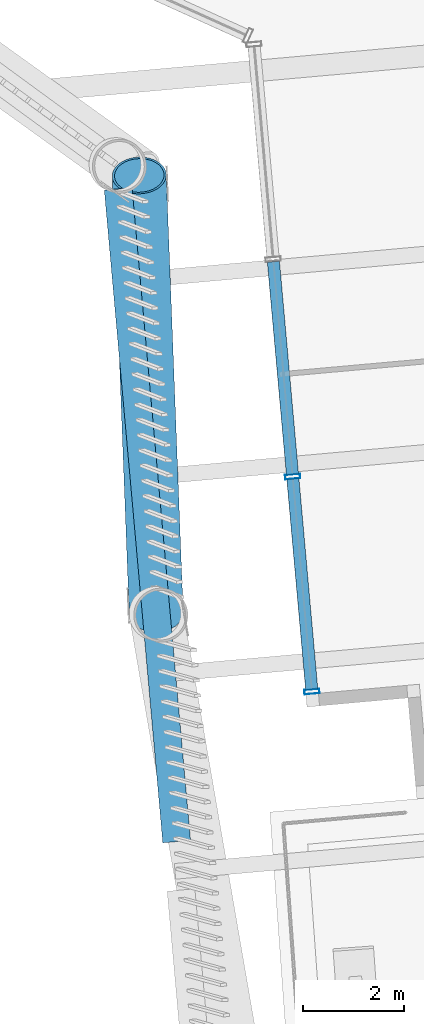
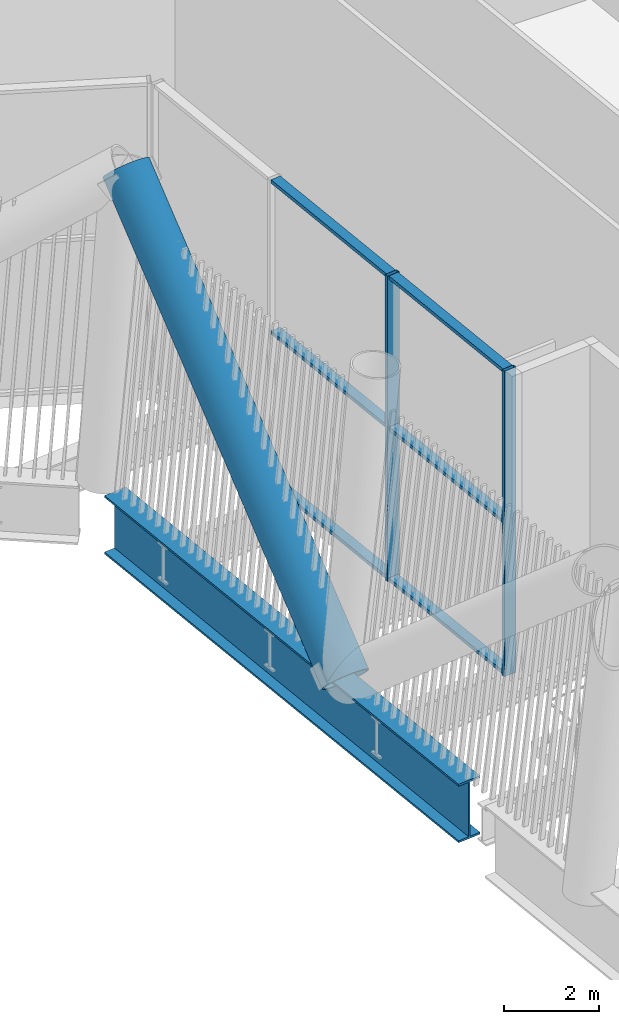
# One storey, part 4 of 55: 9 members, 1 beam, 1 element without a shape of its own.
"""IFC4 building model written with IfcOpenShell, lengths in metres."""

from ifc_helpers import new_model, si_unit, direction, frame, origin, origin_2d, place, context, subcontext, project, spatial, hollow_rectangle, hollow_circle, i_section, extrude, material, layer, layer_set, material_profile, profile_set, type_object, element, aggregate, save


model = new_model("IFC4")

# Units and contexts
model_context = context("Model", 3, precision=1e-05, world=origin(), true_north=direction((0.0, 1.0)))
body_context = subcontext(model_context, "Body", "Model", "MODEL_VIEW")
ifc_project = project(units=[si_unit("LENGTHUNIT", "METRE"), si_unit("AREAUNIT", "SQUARE_METRE"), si_unit("VOLUMEUNIT", "CUBIC_METRE"), si_unit("PLANEANGLEUNIT", "RADIAN"), si_unit("MASSUNIT", "GRAM", prefix="KILO")], contexts=[model_context])

# Site, building, storey
site_placement = place(None, origin())
site = spatial("IfcSite", under=ifc_project, at=site_placement, CompositionType="ELEMENT")
building_placement = place(site_placement, origin())
building = spatial("IfcBuilding", under=site, at=building_placement, Name="Tarsis Ring Headquarters", CompositionType="ELEMENT")
storey_placement = place(building_placement, frame((0.0, 0.0, 247.199951171875)))
storey = spatial("IfcBuildingStorey", under=building, at=storey_placement, Name="L58", CompositionType="ELEMENT", Elevation=247.199951171875)

# Curtain wall, members
ifc_material_1 = material(Name="Aluminium curtain wall", Category="aluminium")
ifc_layer = layer(ifc_material_1, 0.300048828125)
ifc_layer_set = layer_set([ifc_layer], Name="Curtain wall upper sky lobby")
curtain_wall_type = type_object("IfcCurtainWallType", Name="Curtain wall upper sky lobby", PredefinedType="NOTDEFINED", material=ifc_layer_set)
curtain_wall_placement = place(storey_placement, origin())
curtain_wall = element("IfcCurtainWall", 1, at=curtain_wall_placement, inside=storey, type_object=curtain_wall_type, Name="Curtain wall L58-06", PredefinedType="NOTDEFINED")
ifc_material_2 = material(Name="Aluminium mullion", Category="aluminium")
ifc_material_profile_1 = material_profile(ifc_material_2, hollow_rectangle(XDim=0.300048828125, YDim=0.090087890625, WallThickness=0.0048828125, at=origin_2d()), Name="RHS 300x90x5")
ifc_profile_set_1 = profile_set([ifc_material_profile_1], Name="Aluminium mullion")
member_type_1 = type_object("IfcMemberType", Name="Curtain wall mullion upper sky lobby RHS 300x90x5", PredefinedType="MULLION", material=ifc_profile_set_1)
member_1_placement = place(storey_placement, frame((-9.021728515625, -32.376953125, 0.0), z_axis=(0.0, 0.0, 1.0), x_axis=(0.996009969797, 0.089242030819, 0.0)))
member_1 = element("IfcMember", 2, at=member_1_placement, type_object=member_type_1, Name="CW-U mullion 3", PredefinedType="MULLION", context=body_context, shape_type="SweptSolid", body=[
    extrude(hollow_rectangle(XDim=0.300048828125, YDim=0.090087890625, WallThickness=0.0048828125, at=origin_2d()), origin(), (0.0, 0.0, 1.0), 7.840087890625),
])
member_2_placement = place(storey_placement, frame((-8.64111328125, -36.622314453125, 0.0), z_axis=(0.0, 0.0, 1.0), x_axis=(0.996009969797, 0.089242030819, 0.0)))
member_2 = element("IfcMember", 3, at=member_2_placement, type_object=member_type_1, Name="CW-U mullion 4", PredefinedType="MULLION", context=body_context, shape_type="SweptSolid", body=[
    extrude(hollow_rectangle(XDim=0.300048828125, YDim=0.090087890625, WallThickness=0.0048828125, at=origin_2d()), origin(), (0.0, 0.0, 1.0), 7.840087890625),
])
ifc_material_3 = material(Name="Aluminium transom", Category="aluminium")
ifc_material_profile_2 = material_profile(ifc_material_3, hollow_rectangle(XDim=0.239990234375, YDim=0.090087890625, WallThickness=0.0048828125, at=origin_2d()), Name="RHS 240x90x5")
ifc_profile_set_2 = profile_set([ifc_material_profile_2], Name="Aluminium transom")
member_type_2 = type_object("IfcMemberType", Name="Curtain wall transom upper sky lobby RHS 240x90x5", PredefinedType="USERDEFINED", material=ifc_profile_set_2)
member_3_placement = place(storey_placement, frame((-9.402099609375, -28.131591796875, 0.045166015625), z_axis=(0.089267299145, -0.996007705444, 0.0), x_axis=(0.996007705444, 0.089267299145, 0.0)))
member_3 = element("IfcMember", 4, at=member_3_placement, type_object=member_type_2, Name="CW-U transom 2.1", ObjectType="TRANSOM", PredefinedType="USERDEFINED", context=body_context, shape_type="SweptSolid", body=[
    extrude(hollow_rectangle(XDim=0.239990234375, YDim=0.090087890625, WallThickness=0.0048828125, at=origin_2d()), origin(), (0.0, 0.0, 1.0), 4.21728515625),
])
member_4_placement = place(storey_placement, frame((-9.402099609375, -28.131591796875, 3.920166015625), z_axis=(0.089267299145, -0.996007705444, 0.0), x_axis=(0.996007705444, 0.089267299145, 0.0)))
member_4 = element("IfcMember", 5, at=member_4_placement, type_object=member_type_2, Name="CW-U transom 2.2", ObjectType="TRANSOM", PredefinedType="USERDEFINED", context=body_context, shape_type="SweptSolid", body=[
    extrude(hollow_rectangle(XDim=0.239990234375, YDim=0.090087890625, WallThickness=0.0048828125, at=origin_2d()), origin(), (0.0, 0.0, 1.0), 4.21728515625),
])
member_5_placement = place(storey_placement, frame((-9.402099609375, -28.131591796875, 7.795166015625), z_axis=(0.089267299145, -0.996007705444, 0.0), x_axis=(0.996007705444, 0.089267299145, 0.0)))
member_5 = element("IfcMember", 6, at=member_5_placement, type_object=member_type_2, Name="CW-U transom 2.3", ObjectType="TRANSOM", PredefinedType="USERDEFINED", context=body_context, shape_type="SweptSolid", body=[
    extrude(hollow_rectangle(XDim=0.239990234375, YDim=0.090087890625, WallThickness=0.0048828125, at=origin_2d()), origin(), (0.0, 0.0, 1.0), 4.21728515625),
])
member_6_placement = place(storey_placement, frame((-9.017578125, -32.421875, 0.045166015625), z_axis=(0.089237752687, -0.996010353107, 0.0), x_axis=(0.996010353107, 0.089237752687, 0.0)))
member_6 = element("IfcMember", 7, at=member_6_placement, type_object=member_type_2, Name="CW-U transom 3.1", ObjectType="TRANSOM", PredefinedType="USERDEFINED", context=body_context, shape_type="SweptSolid", body=[
    extrude(hollow_rectangle(XDim=0.239990234375, YDim=0.090087890625, WallThickness=0.0048828125, at=origin_2d()), origin(), (0.0, 0.0, 1.0), 4.172119140625),
])
member_7_placement = place(storey_placement, frame((-9.017578125, -32.421875, 3.920166015625), z_axis=(0.089237752687, -0.996010353107, 0.0), x_axis=(0.996010353107, 0.089237752687, 0.0)))
member_7 = element("IfcMember", 8, at=member_7_placement, type_object=member_type_2, Name="CW-U transom 3.2", ObjectType="TRANSOM", PredefinedType="USERDEFINED", context=body_context, shape_type="SweptSolid", body=[
    extrude(hollow_rectangle(XDim=0.239990234375, YDim=0.090087890625, WallThickness=0.0048828125, at=origin_2d()), origin(), (0.0, 0.0, 1.0), 4.172119140625),
])
member_8_placement = place(storey_placement, frame((-9.017578125, -32.421875, 7.795166015625), z_axis=(0.089237752687, -0.996010353107, 0.0), x_axis=(0.996010353107, 0.089237752687, 0.0)))
member_8 = element("IfcMember", 9, at=member_8_placement, type_object=member_type_2, Name="CW-U transom 3.3", ObjectType="TRANSOM", PredefinedType="USERDEFINED", context=body_context, shape_type="SweptSolid", body=[
    extrude(hollow_rectangle(XDim=0.239990234375, YDim=0.090087890625, WallThickness=0.0048828125, at=origin_2d()), origin(), (0.0, 0.0, 1.0), 4.172119140625),
])
aggregate(curtain_wall, [member_1, member_2, member_3, member_4, member_5, member_6, member_7, member_8])

# Member
ifc_material_4 = material(Name="Structural steel S355", Category="steel")
ifc_material_profile_3 = material_profile(ifc_material_4, hollow_circle(Radius=0.533447265625, WallThickness=0.044921875, at=origin_2d()), Name="CHS 1067x45")
ifc_profile_set_3 = profile_set([ifc_material_profile_3], Name="Structural steel S355")
member_type_3 = type_object("IfcMemberType", Name="TD Belt truss diagonal CHS 1067x45", PredefinedType="BRACE", material=ifc_profile_set_3)
member_9_placement = place(storey_placement, frame((-11.7158203125, -35.083251953125, 0.0), z_axis=(-0.02841354552, 0.733947560654, 0.678611559467), x_axis=(-0.999251480755, -0.038684340621, 0.0)))
element("IfcMember", 10, at=member_9_placement, inside=storey, type_object=member_type_3, Name="Belt truss diagonal TD5", PredefinedType="BRACE", context=body_context, shape_type="SweptSolid", body=[
    extrude(hollow_circle(Radius=0.533447265625, WallThickness=0.044921875, at=origin_2d()), origin(), (0.0, 0.0, 1.0), 11.788818359375),
])

# Beam
ifc_material_profile_4 = material_profile(ifc_material_4, i_section(OverallWidth=0.550048828125, OverallDepth=1.5, WebThickness=0.030029296875, FlangeThickness=0.050048828125, at=origin_2d()), Name="PG 1500x550x30x50")
ifc_profile_set_4 = profile_set([ifc_material_profile_4], Name="Structural steel S355")
beam_type = type_object("IfcBeamType", Name="XG Ring girder PG 1500x550x30x50", PredefinedType="BEAM", material=ifc_profile_set_4)
beam_placement = place(storey_placement, frame((-12.467529296875, -26.69482421875, -0.75), z_axis=(0.089246412051, -0.996009577231, 0.0), x_axis=(0.996009577231, 0.089246412051, 0.0)))
element("IfcBeam", 11, at=beam_placement, inside=storey, type_object=beam_type, Name="Ring girder XG6", PredefinedType="BEAM", context=body_context, shape_type="SweptSolid", body=[
    extrude(i_section(OverallWidth=0.550048828125, OverallDepth=1.5, WebThickness=0.030029296875, FlangeThickness=0.050048828125, at=origin_2d()), origin(), (0.0, 0.0, 1.0), 12.942138671875),
])

save(model, "model.ifc")
